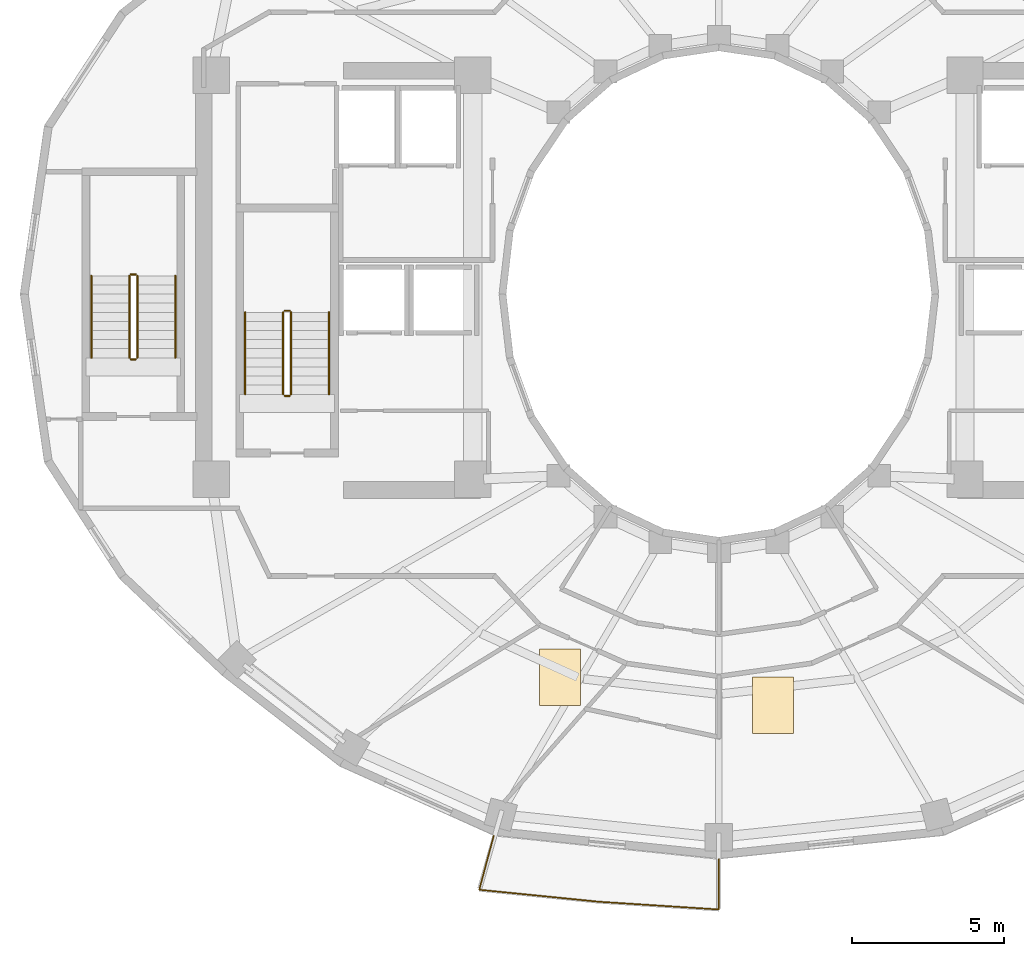
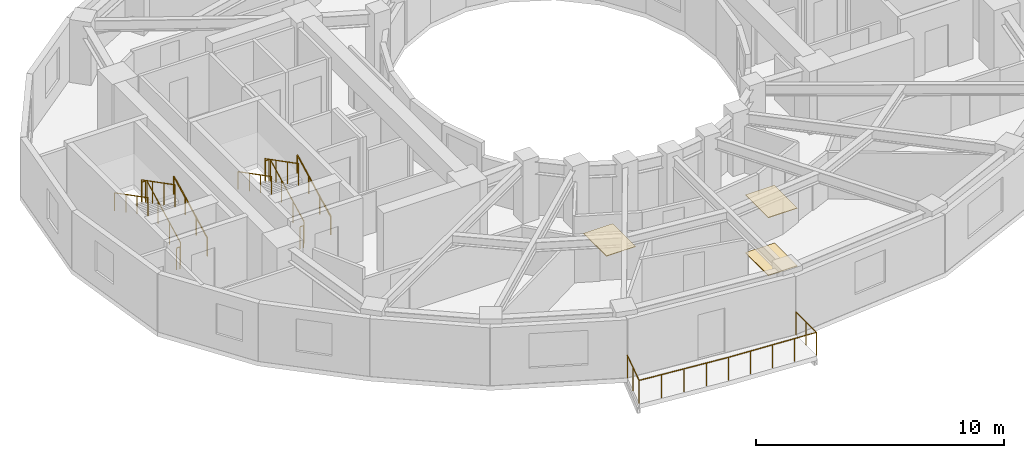
# One storey, part 8 of 9: 13 railings, 3 coverings.
"""IFC4 building model written with IfcOpenShell, lengths in metres."""

from ifc_helpers import new_model, si_unit, direction, frame, origin, origin_2d, place, context, subcontext, project, spatial, polyline, circle, outline, extrude, material, layer, layer_set, type_object, element, save


model = new_model("IFC4")

# Units and contexts
model_context = context("Model", 3, precision=1e-05, world=origin(), true_north=direction((0.0, 1.0)))
body_context = subcontext(model_context, "Body", "Model", "MODEL_VIEW")
ifc_project = project(units=[si_unit("LENGTHUNIT", "METRE"), si_unit("AREAUNIT", "SQUARE_METRE"), si_unit("VOLUMEUNIT", "CUBIC_METRE"), si_unit("PLANEANGLEUNIT", "RADIAN"), si_unit("MASSUNIT", "GRAM", prefix="KILO")], contexts=[model_context])

# Site, building, storey
site_placement = place(None, origin())
site = spatial("IfcSite", under=ifc_project, at=site_placement, CompositionType="ELEMENT")
building_placement = place(site_placement, origin())
building = spatial("IfcBuilding", under=site, at=building_placement, Name="Solvane Sanctuary Tower", CompositionType="ELEMENT")
storey_placement = place(building_placement, frame((0.0, 0.0, 174.60009765625)))
storey = spatial("IfcBuildingStorey", under=building, at=storey_placement, Name="L53", CompositionType="ELEMENT", Elevation=174.60009765625)

# Coverings
ifc_material_1 = material(Name="Acoustic Gypsum Partition Board")
ifc_layer_1 = layer(ifc_material_1, 0.02490234375, Name="Acoustic Gypsum Partition Board")
ifc_layer_set_1 = layer_set([ifc_layer_1], Name="Acoustic Gypsum Partition Board")
covering_type_1 = type_object("IfcCoveringType", Name="Covering CLG-ACOUST", PredefinedType="CEILING", material=ifc_layer_set_1)
covering_1_placement = place(storey_placement, frame((0.0, 0.0, 2.849853515625)))
element("IfcCovering", 1, at=covering_1_placement, inside=storey, type_object=covering_type_1, Name="L53 Unit Acoustic Ceiling Panel 4", PredefinedType="CEILING", context=body_context, shape_type="SweptSolid", body=[
    extrude(outline(polyline([(26.10107421875, 9.464111328125), (27.450927734375, 9.464111328125), (27.450927734375, 11.31396484375), (26.10107421875, 11.31396484375), (26.10107421875, 9.464111328125)])), origin(), (0.0, 0.0, 1.0), 0.030029296875),
])
covering_2_placement = place(storey_placement, frame((0.0, 0.0, 2.849853515625)))
element("IfcCovering", 2, at=covering_2_placement, inside=storey, type_object=covering_type_1, Name="L53 Unit Acoustic Ceiling Panel 5", PredefinedType="CEILING", context=body_context, shape_type="SweptSolid", body=[
    extrude(outline(polyline([(33.10693359375, 8.5419921875), (34.45703125, 8.5419921875), (34.45703125, 10.39208984375), (33.10693359375, 10.39208984375), (33.10693359375, 8.5419921875)])), origin(), (0.0, 0.0, 1.0), 0.030029296875),
])
ifc_material_2 = material(Name="Ceramic Tile Finish")
ifc_layer_2 = layer(ifc_material_2, 0.030029296875, Name="Ceramic Tile Finish")
ifc_layer_set_2 = layer_set([ifc_layer_2], Name="Ceramic Tile Finish")
covering_type_2 = type_object("IfcCoveringType", Name="Covering FLR-TERRAZZO", PredefinedType="FLOORING", material=ifc_layer_set_2)
covering_3_placement = place(storey_placement, origin())
element("IfcCovering", 3, at=covering_3_placement, inside=storey, type_object=covering_type_2, Name="L53 Unit Terrazzo Inlay 5", PredefinedType="FLOORING", context=body_context, shape_type="SweptSolid", body=[
    extrude(outline(polyline([(33.10693359375, 8.5419921875), (34.45703125, 8.5419921875), (34.45703125, 10.39208984375), (33.10693359375, 10.39208984375), (33.10693359375, 8.5419921875)])), origin(), (0.0, 0.0, 1.0), 0.034912109375),
])

# Railings
ifc_material_3 = material(Name="Architectural Stainless Steel 316", Category="steel")
railing_type_1 = type_object("IfcRailingType", Name="Railing GR-BALC-1150", PredefinedType="BALUSTRADE", material=ifc_material_3)
railing_1_placement = place(storey_placement, frame((24.589599609375, 5.17041015625, 0.0)))
element("IfcRailing", 4, at=railing_1_placement, inside=storey, type_object=railing_type_1, Name="L53 Wave Balcony Balustrade SC", PredefinedType="BALUSTRADE", context=body_context, shape_type="SweptSolid", body=[
    extrude(circle(Radius=0.02392578125, at=origin_2d()), frame((0.0, 0.0, 1.1259765625), z_axis=(-0.258820206775, -0.965925515019, 0.0), x_axis=(0.965925515019, -0.258820206775, 0.0)), (0.0, 0.0, 1.0), 1.83740234375),
    extrude(circle(Radius=0.02392578125, at=origin_2d()), frame((-0.4755859375, -1.77490234375, 1.1259765625), z_axis=(0.995001773663, -0.099857250147, 0.0), x_axis=(0.099857250147, 0.995001773663, 0.0)), (0.0, 0.0, 1.0), 3.965576171875),
    extrude(circle(Radius=0.02392578125, at=origin_2d()), frame((3.47021484375, -2.1708984375, 1.1259765625), z_axis=(0.997930175899, -0.064306796142, 0.0), x_axis=(0.064306796142, 0.997930175899, 0.0)), (0.0, 0.0, 1.0), 3.9482421875),
    extrude(circle(Radius=0.02392578125, at=origin_2d()), frame((7.410400390625, -2.4248046875, 1.1259765625), z_axis=(0.0, 1.0, 0.0), x_axis=(-1.0, 0.0, 0.0)), (0.0, 0.0, 1.0), 1.654296875),
    extrude(circle(Radius=0.02099609375, at=origin_2d()), origin(), (0.0, 0.0, 1.0), 1.101806640625),
    extrude(circle(Radius=0.02099609375, at=origin_2d()), frame((-0.23779296875, -0.887451171875, 0.0)), (0.0, 0.0, 1.0), 1.101806640625),
    extrude(circle(Radius=0.02099609375, at=origin_2d()), frame((-0.4755859375, -1.77490234375, 0.0)), (0.0, 0.0, 1.0), 1.101806640625),
    extrude(circle(Radius=0.02099609375, at=origin_2d()), frame((0.5107421875, -1.8740234375, 0.0)), (0.0, 0.0, 1.0), 1.101806640625),
    extrude(circle(Radius=0.02099609375, at=origin_2d()), frame((1.497314453125, -1.972900390625, 0.0)), (0.0, 0.0, 1.0), 1.101806640625),
    extrude(circle(Radius=0.02099609375, at=origin_2d()), frame((2.48388671875, -2.07177734375, 0.0)), (0.0, 0.0, 1.0), 1.101806640625),
    extrude(circle(Radius=0.02099609375, at=origin_2d()), frame((3.47021484375, -2.1708984375, 0.0)), (0.0, 0.0, 1.0), 1.101806640625),
    extrude(circle(Radius=0.02099609375, at=origin_2d()), frame((4.455322265625, -2.234375, 0.0)), (0.0, 0.0, 1.0), 1.101806640625),
    extrude(circle(Radius=0.02099609375, at=origin_2d()), frame((5.4404296875, -2.2978515625, 0.0)), (0.0, 0.0, 1.0), 1.101806640625),
    extrude(circle(Radius=0.02099609375, at=origin_2d()), frame((6.42529296875, -2.361328125, 0.0)), (0.0, 0.0, 1.0), 1.101806640625),
    extrude(circle(Radius=0.02099609375, at=origin_2d()), frame((7.410400390625, -2.4248046875, 0.0)), (0.0, 0.0, 1.0), 1.101806640625),
    extrude(circle(Radius=0.02099609375, at=origin_2d()), frame((7.410400390625, -1.59765625, 0.0)), (0.0, 0.0, 1.0), 1.101806640625),
    extrude(circle(Radius=0.02099609375, at=origin_2d()), frame((7.410400390625, -0.7705078125, 0.0)), (0.0, 0.0, 1.0), 1.101806640625),
])
railing_2_placement = place(storey_placement, frame((17.919921875, 19.699951171875, 0.15478515625)))
element("IfcRailing", 5, at=railing_2_placement, inside=storey, type_object=railing_type_1, Name="L53 ST-1 stair guard 1", PredefinedType="BALUSTRADE", context=body_context, shape_type="SweptSolid", body=[
    extrude(circle(Radius=0.02392578125, at=origin_2d()), frame((0.0, 0.0, 1.076171875), z_axis=(0.0, 0.888419900624, 0.459031676658), x_axis=(-1.0, 0.0, 0.0)), (0.0, 0.0, 1.0), 3.0390625),
    extrude(circle(Radius=0.02099609375, at=origin_2d()), origin(), (0.0, 0.0, 1.0), 1.052001953125),
    extrude(circle(Radius=0.02099609375, at=origin_2d()), frame((0.0, 0.89990234375, 0.465087890625)), (0.0, 0.0, 1.0), 1.052001953125),
    extrude(circle(Radius=0.02099609375, at=origin_2d()), frame((0.0, 1.800048828125, 0.929931640625)), (0.0, 0.0, 1.0), 1.052001953125),
    extrude(circle(Radius=0.02099609375, at=origin_2d()), frame((0.0, 2.699951171875, 1.39501953125)), (0.0, 0.0, 1.0), 1.052001953125),
])
railing_3_placement = place(storey_placement, frame((17.8701171875, 22.449951171875, 1.5498046875)))
element("IfcRailing", 6, at=railing_3_placement, inside=storey, type_object=railing_type_1, Name="L53 ST-1 stair guard 2", PredefinedType="BALUSTRADE", context=body_context, shape_type="SweptSolid", body=[
    extrude(circle(Radius=0.02392578125, at=origin_2d()), frame((0.0, 0.0, 1.076171875), z_axis=(-1.0, 0.0, 0.0), x_axis=(0.0, -1.0, 0.0)), (0.0, 0.0, 1.0), 0.16015625),
    extrude(circle(Radius=0.02099609375, at=origin_2d()), origin(), (0.0, 0.0, 1.0), 1.052001953125),
    extrude(circle(Radius=0.02099609375, at=origin_2d()), frame((-0.16015625, 0.0, 0.0)), (0.0, 0.0, 1.0), 1.052001953125),
])
railing_4_placement = place(storey_placement, frame((17.659912109375, 22.39990234375, 1.704833984375)))
element("IfcRailing", 7, at=railing_4_placement, inside=storey, type_object=railing_type_1, Name="L53 ST-1 stair guard 3", PredefinedType="BALUSTRADE", context=body_context, shape_type="SweptSolid", body=[
    extrude(circle(Radius=0.02392578125, at=origin_2d()), frame((0.0, 0.0, 1.076171875), z_axis=(0.0, -0.888419900624, 0.459031676658), x_axis=(1.0, 0.0, 0.0)), (0.0, 0.0, 1.0), 3.0390625),
    extrude(circle(Radius=0.02099609375, at=origin_2d()), origin(), (0.0, 0.0, 1.0), 1.052001953125),
    extrude(circle(Radius=0.02099609375, at=origin_2d()), frame((0.0, -0.89990234375, 0.465087890625)), (0.0, 0.0, 1.0), 1.052001953125),
    extrude(circle(Radius=0.02099609375, at=origin_2d()), frame((0.0, -1.800048828125, 0.929931640625)), (0.0, 0.0, 1.0), 1.052001953125),
    extrude(circle(Radius=0.02099609375, at=origin_2d()), frame((0.0, -2.699951171875, 1.39501953125)), (0.0, 0.0, 1.0), 1.052001953125),
])
railing_5_placement = place(storey_placement, frame((17.8701171875, 19.64990234375, 0.0)))
element("IfcRailing", 8, at=railing_5_placement, inside=storey, type_object=railing_type_1, Name="L53 ST-1 stair guard 4", PredefinedType="BALUSTRADE", context=body_context, shape_type="SweptSolid", body=[
    extrude(circle(Radius=0.02392578125, at=origin_2d()), frame((0.0, 0.0, 1.076171875), z_axis=(-1.0, 0.0, 0.0), x_axis=(0.0, -1.0, 0.0)), (0.0, 0.0, 1.0), 0.16015625),
    extrude(circle(Radius=0.02099609375, at=origin_2d()), origin(), (0.0, 0.0, 1.0), 1.052001953125),
    extrude(circle(Radius=0.02099609375, at=origin_2d()), frame((-0.16015625, 0.0, 0.0)), (0.0, 0.0, 1.0), 1.052001953125),
])
railing_6_placement = place(storey_placement, frame((12.860107421875, 20.89990234375, 0.15478515625)))
element("IfcRailing", 9, at=railing_6_placement, inside=storey, type_object=railing_type_1, Name="L53 ST-3 stair guard 1", PredefinedType="BALUSTRADE", context=body_context, shape_type="SweptSolid", body=[
    extrude(circle(Radius=0.02392578125, at=origin_2d()), frame((0.0, 0.0, 1.076171875), z_axis=(0.0, 0.888436826113, 0.458998917216), x_axis=(-1.0, 0.0, 0.0)), (0.0, 0.0, 1.0), 3.039306640625),
    extrude(circle(Radius=0.02099609375, at=origin_2d()), origin(), (0.0, 0.0, 1.0), 1.052001953125),
    extrude(circle(Radius=0.02099609375, at=origin_2d()), frame((0.0, 0.900146484375, 0.465087890625)), (0.0, 0.0, 1.0), 1.052001953125),
    extrude(circle(Radius=0.02099609375, at=origin_2d()), frame((0.0, 1.800048828125, 0.929931640625)), (0.0, 0.0, 1.0), 1.052001953125),
    extrude(circle(Radius=0.02099609375, at=origin_2d()), frame((0.0, 2.7001953125, 1.39501953125)), (0.0, 0.0, 1.0), 1.052001953125),
])
railing_7_placement = place(storey_placement, frame((12.81005859375, 23.64990234375, 1.5498046875)))
element("IfcRailing", 10, at=railing_7_placement, inside=storey, type_object=railing_type_1, Name="L53 ST-3 stair guard 2", PredefinedType="BALUSTRADE", context=body_context, shape_type="SweptSolid", body=[
    extrude(circle(Radius=0.02392578125, at=origin_2d()), frame((0.0, 0.0, 1.076171875), z_axis=(-1.0, 0.0, 0.0), x_axis=(0.0, -1.0, 0.0)), (0.0, 0.0, 1.0), 0.16015625),
    extrude(circle(Radius=0.02099609375, at=origin_2d()), origin(), (0.0, 0.0, 1.0), 1.052001953125),
    extrude(circle(Radius=0.02099609375, at=origin_2d()), frame((-0.16015625, 0.0, 0.0)), (0.0, 0.0, 1.0), 1.052001953125),
])
railing_8_placement = place(storey_placement, frame((12.60009765625, 23.60009765625, 1.704833984375)))
element("IfcRailing", 11, at=railing_8_placement, inside=storey, type_object=railing_type_1, Name="L53 ST-3 stair guard 3", PredefinedType="BALUSTRADE", context=body_context, shape_type="SweptSolid", body=[
    extrude(circle(Radius=0.02392578125, at=origin_2d()), frame((0.0, 0.0, 1.076171875), z_axis=(0.0, -0.888436826113, 0.458998917216), x_axis=(1.0, 0.0, 0.0)), (0.0, 0.0, 1.0), 3.039306640625),
    extrude(circle(Radius=0.02099609375, at=origin_2d()), origin(), (0.0, 0.0, 1.0), 1.052001953125),
    extrude(circle(Radius=0.02099609375, at=origin_2d()), frame((0.0, -0.900146484375, 0.465087890625)), (0.0, 0.0, 1.0), 1.052001953125),
    extrude(circle(Radius=0.02099609375, at=origin_2d()), frame((0.0, -1.800048828125, 0.929931640625)), (0.0, 0.0, 1.0), 1.052001953125),
    extrude(circle(Radius=0.02099609375, at=origin_2d()), frame((0.0, -2.7001953125, 1.39501953125)), (0.0, 0.0, 1.0), 1.052001953125),
])
railing_9_placement = place(storey_placement, frame((12.81005859375, 20.85009765625, 0.0)))
element("IfcRailing", 12, at=railing_9_placement, inside=storey, type_object=railing_type_1, Name="L53 ST-3 stair guard 4", PredefinedType="BALUSTRADE", context=body_context, shape_type="SweptSolid", body=[
    extrude(circle(Radius=0.02392578125, at=origin_2d()), frame((0.0, 0.0, 1.076171875), z_axis=(-1.0, 0.0, 0.0), x_axis=(0.0, -1.0, 0.0)), (0.0, 0.0, 1.0), 0.16015625),
    extrude(circle(Radius=0.02099609375, at=origin_2d()), origin(), (0.0, 0.0, 1.0), 1.052001953125),
    extrude(circle(Radius=0.02099609375, at=origin_2d()), frame((-0.16015625, 0.0, 0.0)), (0.0, 0.0, 1.0), 1.052001953125),
])
railing_type_2 = type_object("IfcRailingType", Name="Railing HR-STAIR-920", PredefinedType="HANDRAIL", material=ifc_material_3)
railing_10_placement = place(storey_placement, frame((19.169921875, 19.699951171875, 0.15478515625)))
element("IfcRailing", 13, at=railing_10_placement, inside=storey, type_object=railing_type_2, Name="L53 ST-1 stair handrail 1", PredefinedType="HANDRAIL", context=body_context, shape_type="SweptSolid", body=[
    extrude(circle(Radius=0.02392578125, at=origin_2d()), frame((0.0, 0.0, 0.8759765625), z_axis=(0.0, 0.888419900624, 0.459031676658), x_axis=(-1.0, 0.0, 0.0)), (0.0, 0.0, 1.0), 3.0390625),
    extrude(circle(Radius=0.02099609375, at=origin_2d()), origin(), (0.0, 0.0, 1.0), 0.851806640625),
    extrude(circle(Radius=0.02099609375, at=origin_2d()), frame((0.0, 0.89990234375, 0.465087890625)), (0.0, 0.0, 1.0), 0.851806640625),
    extrude(circle(Radius=0.02099609375, at=origin_2d()), frame((0.0, 1.800048828125, 0.929931640625)), (0.0, 0.0, 1.0), 0.851806640625),
    extrude(circle(Radius=0.02099609375, at=origin_2d()), frame((0.0, 2.699951171875, 1.39501953125)), (0.0, 0.0, 1.0), 0.851806640625),
])
railing_11_placement = place(storey_placement, frame((16.409912109375, 22.39990234375, 1.704833984375)))
element("IfcRailing", 14, at=railing_11_placement, inside=storey, type_object=railing_type_2, Name="L53 ST-1 stair handrail 2", PredefinedType="HANDRAIL", context=body_context, shape_type="SweptSolid", body=[
    extrude(circle(Radius=0.02392578125, at=origin_2d()), frame((0.0, 0.0, 0.8759765625), z_axis=(0.0, -0.888419900624, 0.459031676658), x_axis=(1.0, 0.0, 0.0)), (0.0, 0.0, 1.0), 3.0390625),
    extrude(circle(Radius=0.02099609375, at=origin_2d()), origin(), (0.0, 0.0, 1.0), 0.851806640625),
    extrude(circle(Radius=0.02099609375, at=origin_2d()), frame((0.0, -0.89990234375, 0.465087890625)), (0.0, 0.0, 1.0), 0.851806640625),
    extrude(circle(Radius=0.02099609375, at=origin_2d()), frame((0.0, -1.800048828125, 0.929931640625)), (0.0, 0.0, 1.0), 0.851806640625),
    extrude(circle(Radius=0.02099609375, at=origin_2d()), frame((0.0, -2.699951171875, 1.39501953125)), (0.0, 0.0, 1.0), 0.851806640625),
])
railing_12_placement = place(storey_placement, frame((14.110107421875, 20.89990234375, 0.15478515625)))
element("IfcRailing", 15, at=railing_12_placement, inside=storey, type_object=railing_type_2, Name="L53 ST-3 stair handrail 1", PredefinedType="HANDRAIL", context=body_context, shape_type="SweptSolid", body=[
    extrude(circle(Radius=0.02392578125, at=origin_2d()), frame((0.0, 0.0, 0.8759765625), z_axis=(0.0, 0.888436826113, 0.458998917216), x_axis=(-1.0, 0.0, 0.0)), (0.0, 0.0, 1.0), 3.039306640625),
    extrude(circle(Radius=0.02099609375, at=origin_2d()), origin(), (0.0, 0.0, 1.0), 0.851806640625),
    extrude(circle(Radius=0.02099609375, at=origin_2d()), frame((0.0, 0.900146484375, 0.465087890625)), (0.0, 0.0, 1.0), 0.851806640625),
    extrude(circle(Radius=0.02099609375, at=origin_2d()), frame((0.0, 1.800048828125, 0.929931640625)), (0.0, 0.0, 1.0), 0.851806640625),
    extrude(circle(Radius=0.02099609375, at=origin_2d()), frame((0.0, 2.7001953125, 1.39501953125)), (0.0, 0.0, 1.0), 0.851806640625),
])
railing_13_placement = place(storey_placement, frame((11.35009765625, 23.60009765625, 1.704833984375)))
element("IfcRailing", 16, at=railing_13_placement, inside=storey, type_object=railing_type_2, Name="L53 ST-3 stair handrail 2", PredefinedType="HANDRAIL", context=body_context, shape_type="SweptSolid", body=[
    extrude(circle(Radius=0.02392578125, at=origin_2d()), frame((0.0, 0.0, 0.8759765625), z_axis=(0.0, -0.888436826113, 0.458998917216), x_axis=(1.0, 0.0, 0.0)), (0.0, 0.0, 1.0), 3.039306640625),
    extrude(circle(Radius=0.02099609375, at=origin_2d()), origin(), (0.0, 0.0, 1.0), 0.851806640625),
    extrude(circle(Radius=0.02099609375, at=origin_2d()), frame((0.0, -0.900146484375, 0.465087890625)), (0.0, 0.0, 1.0), 0.851806640625),
    extrude(circle(Radius=0.02099609375, at=origin_2d()), frame((0.0, -1.800048828125, 0.929931640625)), (0.0, 0.0, 1.0), 0.851806640625),
    extrude(circle(Radius=0.02099609375, at=origin_2d()), frame((0.0, -2.7001953125, 1.39501953125)), (0.0, 0.0, 1.0), 0.851806640625),
])

save(model, "model.ifc")
